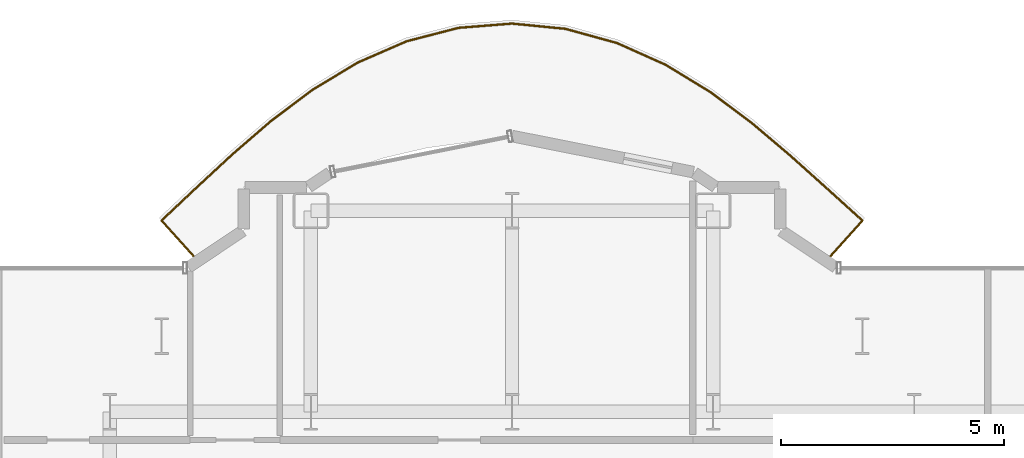
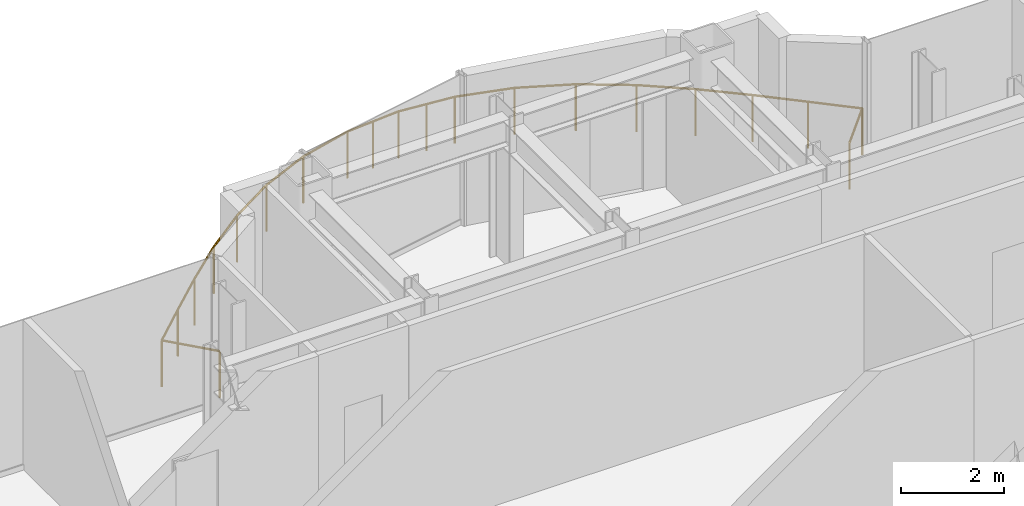
# One storey, part 22 of 22: 1 railing.
"""IFC4 building model written with IfcOpenShell, lengths in metres."""

from ifc_helpers import new_model, si_unit, direction, frame, origin, origin_2d, place, context, subcontext, project, spatial, circle, extrude, material, type_object, element, save


model = new_model("IFC4")

# Units and contexts
model_context = context("Model", 3, precision=1e-05, world=origin(), true_north=direction((0.0, 1.0)))
body_context = subcontext(model_context, "Body", "Model", "MODEL_VIEW")
ifc_project = project(units=[si_unit("LENGTHUNIT", "METRE"), si_unit("AREAUNIT", "SQUARE_METRE"), si_unit("VOLUMEUNIT", "CUBIC_METRE"), si_unit("PLANEANGLEUNIT", "RADIAN"), si_unit("MASSUNIT", "GRAM", prefix="KILO")], contexts=[model_context])

# Site, building, storey
site_placement = place(None, origin())
site = spatial("IfcSite", under=ifc_project, at=site_placement, CompositionType="ELEMENT")
building_placement = place(site_placement, origin())
building = spatial("IfcBuilding", under=site, at=building_placement, Name="Nefas-Gora Pilgrimage Tower", CompositionType="ELEMENT")
storey_placement = place(building_placement, frame((0.0, 0.0, 186.800048828125)))
storey = spatial("IfcBuildingStorey", under=building, at=storey_placement, Name="L46", CompositionType="ELEMENT", Elevation=186.800048828125)

# Railing
ifc_material = material(Name="Laminated safety glass and stainless steel", Category="steel")
railing_type = type_object("IfcRailingType", Name="RLG-BAL-1100", PredefinedType="BALUSTRADE", material=ifc_material)
railing_placement = place(storey_placement, frame((4.802490234375, 21.402587890625, 0.0)))
element("IfcRailing", 1, at=railing_placement, inside=storey, type_object=railing_type, Name="L46 Wave Balcony Balustrade N1", PredefinedType="BALUSTRADE", context=body_context, shape_type="SweptSolid", body=[
    extrude(circle(Radius=0.02392578125, at=origin_2d()), frame((0.0, 0.0, 1.09619140625), z_axis=(0.669113274241, 0.74316043102, 0.0), x_axis=(-0.74316043102, 0.669113274241, 0.0)), (0.0, 0.0, 1.0), 1.180419921875),
    extrude(circle(Radius=0.02392578125, at=origin_2d()), frame((0.789794921875, 0.877197265625, 1.09619140625), z_axis=(-0.741691494507, 0.670741177337, 0.0), x_axis=(-0.670741177337, -0.741691494507, 0.0)), (0.0, 0.0, 1.0), 1.0771484375),
    extrude(circle(Radius=0.02392578125, at=origin_2d()), frame((-0.009033203125, 1.599609375, 1.09619140625), z_axis=(-0.744512131343, 0.667608932147, 0.0), x_axis=(-0.667608932147, -0.744512131343, 0.0)), (0.0, 0.0, 1.0), 1.09521484375),
    extrude(circle(Radius=0.02392578125, at=origin_2d()), frame((-0.824462890625, 2.330810546875, 1.09619140625), z_axis=(-0.763015425676, 0.64638027521, 0.0), x_axis=(-0.64638027521, -0.763015425676, 0.0)), (0.0, 0.0, 1.0), 1.1240234375),
    extrude(circle(Radius=0.02392578125, at=origin_2d()), frame((-1.68212890625, 3.057373046875, 1.09619140625), z_axis=(-0.800735220579, 0.599018452574, 0.0), x_axis=(-0.599018452574, -0.800735220579, 0.0)), (0.0, 0.0, 1.0), 1.154541015625),
    extrude(circle(Radius=0.02392578125, at=origin_2d()), frame((-2.606689453125, 3.7490234375, 1.09619140625), z_axis=(-0.853742280901, 0.520695801598, 0.0), x_axis=(-0.520695801598, -0.853742280901, 0.0)), (0.0, 0.0, 1.0), 1.1787109375),
    extrude(circle(Radius=0.02392578125, at=origin_2d()), frame((-3.613037109375, 4.36279296875, 1.09619140625), z_axis=(-0.912533024613, 0.409003030539, 0.0), x_axis=(-0.409003030539, -0.912533024613, 0.0)), (0.0, 0.0, 1.0), 1.193115234375),
    extrude(circle(Radius=0.02392578125, at=origin_2d()), frame((-4.701904296875, 4.850830078125, 1.09619140625), z_axis=(-0.964107720996, 0.265511397715, 0.0), x_axis=(-0.265511397715, -0.964107720996, 0.0)), (0.0, 0.0, 1.0), 1.198974609375),
    extrude(circle(Radius=0.02392578125, at=origin_2d()), frame((-5.85791015625, 5.169189453125, 1.09619140625), z_axis=(-0.99518310835, 0.098033570044, 0.0), x_axis=(-0.098033570044, -0.99518310835, 0.0)), (0.0, 0.0, 1.0), 1.200439453125),
    extrude(circle(Radius=0.02392578125, at=origin_2d()), frame((-7.052490234375, 5.286865234375, 1.09619140625), z_axis=(-0.996817864329, -0.079712893272, 0.0), x_axis=(0.079712893272, -0.996817864329, 0.0)), (0.0, 0.0, 1.0), 1.20068359375),
    extrude(circle(Radius=0.02392578125, at=origin_2d()), frame((-8.249267578125, 5.191162109375, 1.09619140625), z_axis=(-0.96811032682, -0.250524240554, 0.0), x_axis=(0.250524240554, -0.96811032682, 0.0)), (0.0, 0.0, 1.0), 1.19970703125),
    extrude(circle(Radius=0.02392578125, at=origin_2d()), frame((-9.41064453125, 4.890625, 1.09619140625), z_axis=(-0.917018073476, -0.398845650496, 0.0), x_axis=(0.398845650496, -0.917018073476, 0.0)), (0.0, 0.0, 1.0), 1.19482421875),
    extrude(circle(Radius=0.02392578125, at=origin_2d()), frame((-10.50634765625, 4.4140625, 1.09619140625), z_axis=(-0.856288410146, -0.516497975455, 0.0), x_axis=(0.516497975455, -0.856288410146, 0.0)), (0.0, 0.0, 1.0), 1.1826171875),
    extrude(circle(Radius=0.02392578125, at=origin_2d()), frame((-11.51904296875, 3.80322265625, 1.09619140625), z_axis=(-0.799393735848, -0.600807502522, 0.0), x_axis=(0.600807502522, -0.799393735848, 0.0)), (0.0, 0.0, 1.0), 1.16064453125),
    extrude(circle(Radius=0.02392578125, at=origin_2d()), frame((-12.44677734375, 3.10595703125, 1.09619140625), z_axis=(-0.756920087297, -0.653507445593, 0.0), x_axis=(0.653507445593, -0.756920087297, 0.0)), (0.0, 0.0, 1.0), 1.130859375),
    extrude(circle(Radius=0.02392578125, at=origin_2d()), frame((-13.302734375, 2.366943359375, 1.09619140625), z_axis=(-0.733756578496, -0.679412454635, 0.0), x_axis=(0.679412454635, -0.733756578496, 0.0)), (0.0, 0.0, 1.0), 1.1005859375),
    extrude(circle(Radius=0.02392578125, at=origin_2d()), frame((-14.1103515625, 1.619140625, 1.09619140625), z_axis=(-0.727934382881, -0.685646799905, 0.0), x_axis=(0.685646799905, -0.727934382881, 0.0)), (0.0, 0.0, 1.0), 1.07958984375),
    extrude(circle(Radius=0.02392578125, at=origin_2d()), frame((-14.896240234375, 0.87890625, 1.09619140625), z_axis=(0.669078780144, -0.743191486739, 0.0), x_axis=(0.743191486739, 0.669078780144, 0.0)), (0.0, 0.0, 1.0), 1.1826171875),
    extrude(circle(Radius=0.02099609375, at=origin_2d()), origin(), (0.0, 0.0, 1.0), 1.072021484375),
    extrude(circle(Radius=0.02099609375, at=origin_2d()), frame((0.789794921875, 0.877197265625, 0.0)), (0.0, 0.0, 1.0), 1.072021484375),
    extrude(circle(Radius=0.02099609375, at=origin_2d()), frame((-0.009033203125, 1.599609375, 0.0)), (0.0, 0.0, 1.0), 1.072021484375),
    extrude(circle(Radius=0.02099609375, at=origin_2d()), frame((-0.824462890625, 2.330810546875, 0.0)), (0.0, 0.0, 1.0), 1.072021484375),
    extrude(circle(Radius=0.02099609375, at=origin_2d()), frame((-1.68212890625, 3.057373046875, 0.0)), (0.0, 0.0, 1.0), 1.072021484375),
    extrude(circle(Radius=0.02099609375, at=origin_2d()), frame((-2.606689453125, 3.7490234375, 0.0)), (0.0, 0.0, 1.0), 1.072021484375),
    extrude(circle(Radius=0.02099609375, at=origin_2d()), frame((-3.613037109375, 4.36279296875, 0.0)), (0.0, 0.0, 1.0), 1.072021484375),
    extrude(circle(Radius=0.02099609375, at=origin_2d()), frame((-4.701904296875, 4.850830078125, 0.0)), (0.0, 0.0, 1.0), 1.072021484375),
    extrude(circle(Radius=0.02099609375, at=origin_2d()), frame((-5.85791015625, 5.169189453125, 0.0)), (0.0, 0.0, 1.0), 1.072021484375),
    extrude(circle(Radius=0.02099609375, at=origin_2d()), frame((-6.455078125, 5.22802734375, 0.0)), (0.0, 0.0, 1.0), 1.072021484375),
    extrude(circle(Radius=0.02099609375, at=origin_2d()), frame((-7.052490234375, 5.286865234375, 0.0)), (0.0, 0.0, 1.0), 1.072021484375),
    extrude(circle(Radius=0.02099609375, at=origin_2d()), frame((-7.65087890625, 5.239013671875, 0.0)), (0.0, 0.0, 1.0), 1.072021484375),
    extrude(circle(Radius=0.02099609375, at=origin_2d()), frame((-8.249267578125, 5.191162109375, 0.0)), (0.0, 0.0, 1.0), 1.072021484375),
    extrude(circle(Radius=0.02099609375, at=origin_2d()), frame((-9.41064453125, 4.890625, 0.0)), (0.0, 0.0, 1.0), 1.072021484375),
    extrude(circle(Radius=0.02099609375, at=origin_2d()), frame((-10.50634765625, 4.4140625, 0.0)), (0.0, 0.0, 1.0), 1.072021484375),
    extrude(circle(Radius=0.02099609375, at=origin_2d()), frame((-11.51904296875, 3.80322265625, 0.0)), (0.0, 0.0, 1.0), 1.072021484375),
    extrude(circle(Radius=0.02099609375, at=origin_2d()), frame((-12.44677734375, 3.10595703125, 0.0)), (0.0, 0.0, 1.0), 1.072021484375),
    extrude(circle(Radius=0.02099609375, at=origin_2d()), frame((-13.302734375, 2.366943359375, 0.0)), (0.0, 0.0, 1.0), 1.072021484375),
    extrude(circle(Radius=0.02099609375, at=origin_2d()), frame((-14.1103515625, 1.619140625, 0.0)), (0.0, 0.0, 1.0), 1.072021484375),
    extrude(circle(Radius=0.02099609375, at=origin_2d()), frame((-14.896240234375, 0.87890625, 0.0)), (0.0, 0.0, 1.0), 1.072021484375),
    extrude(circle(Radius=0.02099609375, at=origin_2d()), frame((-14.10498046875, 0.0, 0.0)), (0.0, 0.0, 1.0), 1.072021484375),
])

save(model, "model.ifc")
